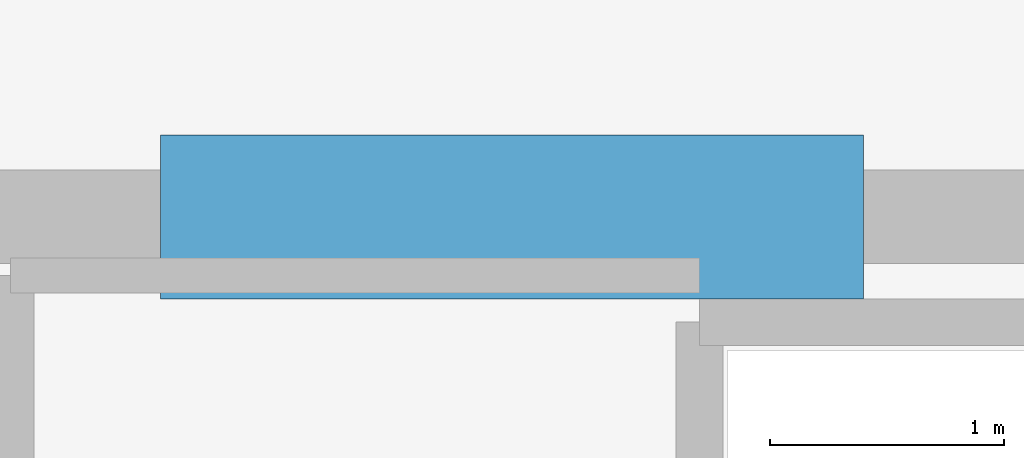
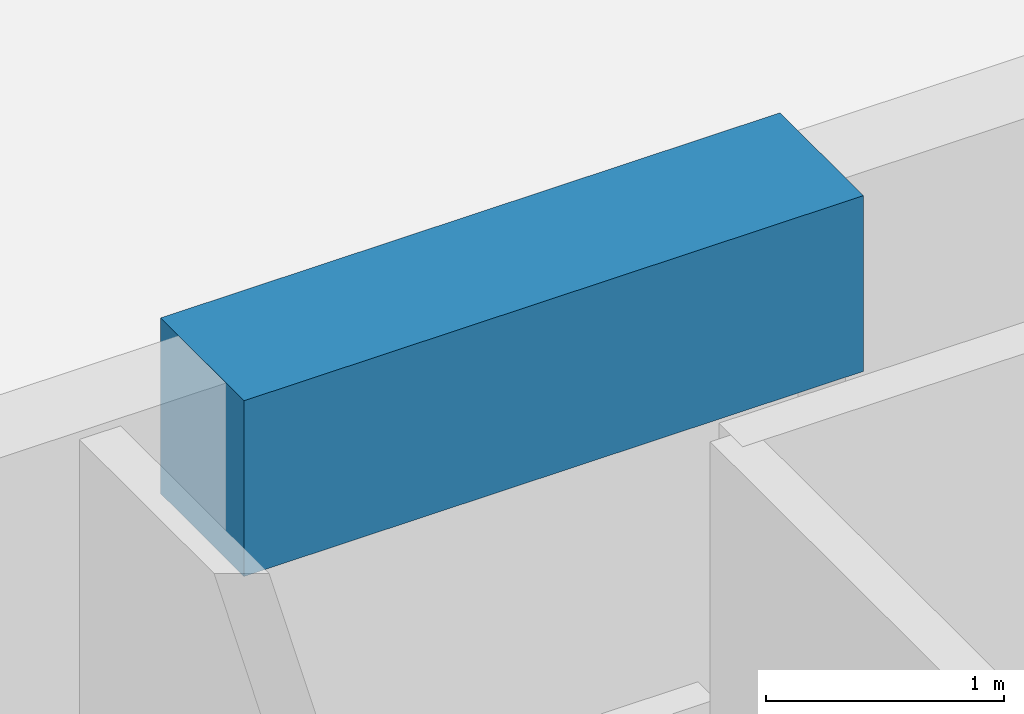
# One storey, part 9 of 24: 1 beam.
"""IFC4 building model written with IfcOpenShell, lengths in metres."""

import ifcopenshell
import ifcopenshell.guid

model = None  # the IFC model being written
_history = None  # IfcOwnerHistory: only IFC2X3 demands one
_inside = {}  # id of a spatial element -> (the spatial element, [elements in it])
_under = {}  # id of a project, library or spatial element -> (it, [spatial elements below it])
_declared = {}  # id of a project -> (the project, [libraries it declares])
_typed = {}  # id of a type object -> (the type object, [elements of that type])
_made_of = {}  # id of a material, layer set ... -> (it, [elements and type objects made of it])


def new_model(schema):
    """Start an empty IFC model of exactly this schema.

    Asked for "IFC4X3", IfcOpenShell would pick the latest addendum, in which some entities
    have other attributes; the version numbers below select the first issue.
    IFC2X3 requires an IfcOwnerHistory on every rooted entity: one is made here for all.
    """
    global model, _history
    if schema == "IFC4X3":
        model = ifcopenshell.file(schema_version=(4, 3, 0, 0))
    else:
        model = ifcopenshell.file(schema=schema)
    _inside.clear()
    _under.clear()
    _declared.clear()
    _typed.clear()
    _made_of.clear()
    _history = None
    if model.schema == "IFC2X3":
        org = make("IfcOrganization", Name="unknown")
        user = make(
            "IfcPersonAndOrganization",
            ThePerson=make("IfcPerson", FamilyName="unknown"),
            TheOrganization=org,
        )
        app = make(
            "IfcApplication",
            ApplicationDeveloper=org,
            Version="unknown",
            ApplicationFullName="unknown",
            ApplicationIdentifier="unknown",
        )
        _history = make(
            "IfcOwnerHistory",
            OwningUser=user,
            OwningApplication=app,
            ChangeAction="ADDED",
            CreationDate=0,
        )
    return model


def make(cls, **values):
    """One entity of the class cls with the attributes given. An attribute that is None is left unset."""
    return model.create_entity(
        cls, **{name: value for name, value in values.items() if value is not None}
    )


def rooted(cls, **values):
    """An entity with a GlobalId (a new one), such as an element, a storey or a relation."""
    return make(cls, GlobalId=ifcopenshell.guid.new(), OwnerHistory=_history, **values)


def si_unit(unit_type, name, prefix=None):
    """IfcSIUnit, for example si_unit("LENGTHUNIT", "METRE", prefix="MILLI")."""
    return make("IfcSIUnit", UnitType=unit_type, Prefix=prefix, Name=name)


def assignment(units):
    """IfcUnitAssignment: the units of a project."""
    return None if units is None else make("IfcUnitAssignment", Units=units)


def point(xyz):
    """IfcCartesianPoint."""
    return None if xyz is None else make("IfcCartesianPoint", Coordinates=xyz)


def direction(xyz):
    """IfcDirection."""
    return None if xyz is None else make("IfcDirection", DirectionRatios=xyz)


def frame(location, z_axis=None, x_axis=None):
    """IfcAxis2Placement3D, a coordinate frame: its origin and axes. An axis left out is left unset."""
    return make(
        "IfcAxis2Placement3D",
        Location=point(location),
        Axis=direction(z_axis),
        RefDirection=direction(x_axis),
    )


def frame_2d(location, x_axis=None):
    """IfcAxis2Placement2D, a coordinate frame in the plane: its origin and x axis."""
    return make(
        "IfcAxis2Placement2D", Location=point(location), RefDirection=direction(x_axis)
    )


def origin():
    """The frame at (0, 0, 0) with its axes left unset."""
    return frame((0.0, 0.0, 0.0))


def origin_2d():
    """The frame at (0, 0) in the plane with its x axis left unset."""
    return frame_2d((0.0, 0.0))


def place(relative_to, where):
    """IfcLocalPlacement: puts the frame where relative to a parent placement (None: the world)."""
    return make(
        "IfcLocalPlacement", PlacementRelTo=relative_to, RelativePlacement=where
    )


def context(
    kind, dimensions, precision=None, world=None, true_north=None, identifier=None
):
    """IfcGeometricRepresentationContext, for example the 3D "Model" context."""
    return make(
        "IfcGeometricRepresentationContext",
        ContextIdentifier=identifier,
        ContextType=kind,
        CoordinateSpaceDimension=dimensions,
        Precision=precision,
        WorldCoordinateSystem=world,
        TrueNorth=true_north,
    )


def subcontext(parent, identifier, kind, view, scale=None):
    """IfcGeometricRepresentationSubContext, for example "Body" below "Model"."""
    return make(
        "IfcGeometricRepresentationSubContext",
        ContextIdentifier=identifier,
        ContextType=kind,
        ParentContext=parent,
        TargetScale=scale,
        TargetView=view,
    )


def project(units=None, contexts=None):
    """IfcProject with its units and contexts."""
    return rooted(
        "IfcProject",
        Name="project",
        RepresentationContexts=contexts,
        UnitsInContext=assignment(units),
    )


def spatial(cls, under=None, at=None, **own):
    """A site, building, storey or space (cls), placed at a placement, below another one or the project."""
    s = rooted(cls, ObjectPlacement=at, **own)
    if under is not None:
        _under.setdefault(under.id(), (under, []))[1].append(s)
    return s


def profile(cls, at=None, kind="AREA", **sizes):
    """A parametric profile (cls). Its sizes go by their IFC names, for example OverallWidth=200.0."""
    return make(cls, ProfileType=kind, Position=at, **sizes)


def rectangle(**sizes):
    """IfcRectangleProfileDef."""
    return profile("IfcRectangleProfileDef", **sizes)


def extrude(swept, where, along, depth):
    """IfcExtrudedAreaSolid: the profile swept, set in the frame where, extruded along a direction by depth."""
    return make(
        "IfcExtrudedAreaSolid",
        SweptArea=swept,
        Position=where,
        ExtrudedDirection=direction(along),
        Depth=depth,
    )


def shape(context_of_items, identifier, shape_type, items):
    """IfcShapeRepresentation: the items that make up one representation, for example the "Body"."""
    return make(
        "IfcShapeRepresentation",
        ContextOfItems=context_of_items,
        RepresentationIdentifier=identifier,
        RepresentationType=shape_type,
        Items=items,
    )


def material(Name=None, Category=None):
    """IfcMaterial."""
    return make("IfcMaterial", Name=Name, Category=Category)


def material_profile(
    of_material, cross_section, Name=None, Category=None, Priority=None
):
    """IfcMaterialProfile: a cross section and its material."""
    return make(
        "IfcMaterialProfile",
        Name=Name,
        Material=of_material,
        Profile=cross_section,
        Priority=Priority,
        Category=Category,
    )


def profile_set(profiles, Name=None, composite=None):
    """IfcMaterialProfileSet."""
    return make(
        "IfcMaterialProfileSet",
        Name=Name,
        MaterialProfiles=profiles,
        CompositeProfile=composite,
    )


def made_of(thing, what):
    """Note that an element or type object is made of a material, layer set ...; save() writes the relation."""
    if what is not None:
        _made_of.setdefault(what.id(), (what, []))[1].append(thing)
    return thing


def type_object(cls, material=None, **own):
    """A type object (cls), such as IfcWallType, which elements share."""
    return made_of(rooted(cls, **own), material)


def element(
    cls,
    number,
    at=None,
    inside=None,
    cuts=None,
    type_object=None,
    material=None,
    context=None,
    identifier="Body",
    shape_type=None,
    held_by="IfcProductDefinitionShape",
    body=None,
    shapes=None,
    **own,
):
    """One element of the class cls, such as IfcWall. Its Tag is "e" and its number.

    at: its placement. inside: the storey or other place that contains it. cuts: it is an
    opening in that element (IfcRelVoidsElement). A single representation is given by context,
    identifier, shape_type and body (its items); several are given by shapes. held_by: the class
    of the entity that holds the representations. save() writes the other relations.
    """
    e = rooted(cls, Tag="e%d" % number, ObjectPlacement=at, **own)
    if body is not None:
        shapes = [shape(context, identifier, shape_type, body)]
    if shapes is not None:
        e.Representation = make(held_by, Representations=shapes)
    if inside is not None:
        _inside.setdefault(inside.id(), (inside, []))[1].append(e)
    if cuts is not None:
        rooted(
            "IfcRelVoidsElement", RelatingBuildingElement=cuts, RelatedOpeningElement=e
        )
    if type_object is not None:
        _typed.setdefault(type_object.id(), (type_object, []))[1].append(e)
    return made_of(e, material)


def aggregate(whole, parts):
    """IfcRelAggregates: a whole, such as a stair, and the parts it consists of."""
    return rooted("IfcRelAggregates", RelatingObject=whole, RelatedObjects=parts)


def save(model, path):
    """Write the relations noted so far, then the file.

    IfcRelAggregates (storeys below a building ...), IfcRelContainedInSpatialStructure (elements
    in a storey), IfcRelDefinesByType, IfcRelAssociatesMaterial and IfcRelDeclares: one each for
    every whole, place, type object, material and project.
    """
    for whole, parts in _under.values():
        aggregate(whole, parts)
    for where, things in _inside.values():
        rooted(
            "IfcRelContainedInSpatialStructure",
            RelatedElements=things,
            RelatingStructure=where,
        )
    for kind, things in _typed.values():
        rooted("IfcRelDefinesByType", RelatedObjects=things, RelatingType=kind)
    for what, things in _made_of.values():
        rooted("IfcRelAssociatesMaterial", RelatedObjects=things, RelatingMaterial=what)
    for by, libraries in _declared.values():
        rooted("IfcRelDeclares", RelatingContext=by, RelatedDefinitions=libraries)
    model.write(path)


model = new_model("IFC4")

# Units and contexts
model_context = context("Model", 3, precision=1e-05, world=origin(), true_north=direction((0.0, 1.0)))
body_context = subcontext(model_context, "Body", "Model", "MODEL_VIEW")
ifc_project = project(units=[si_unit("LENGTHUNIT", "METRE"), si_unit("AREAUNIT", "SQUARE_METRE"), si_unit("VOLUMEUNIT", "CUBIC_METRE"), si_unit("PLANEANGLEUNIT", "RADIAN"), si_unit("MASSUNIT", "GRAM", prefix="KILO")], contexts=[model_context])

# Site, building, storey
site_placement = place(None, origin())
site = spatial("IfcSite", under=ifc_project, at=site_placement, CompositionType="ELEMENT")
building_placement = place(site_placement, origin())
building = spatial("IfcBuilding", under=site, at=building_placement, Name="Kovane Verandah Tower", CompositionType="ELEMENT")
storey_placement = place(building_placement, frame((0.0, 0.0, 348.800048828125)))
storey = spatial("IfcBuildingStorey", under=building, at=storey_placement, Name="L81", CompositionType="ELEMENT", Elevation=348.800048828125)

# Beam
ifc_material = material(Name="Concrete C60/75", Category="concrete")
ifc_material_profile = material_profile(ifc_material, rectangle(XDim=0.699951171875, YDim=0.89990234375, at=origin_2d()), Name="RCB700x900")
ifc_profile_set = profile_set([ifc_material_profile], Name="Concrete C60/75")
beam_type = type_object("IfcBeamType", Name="BM-LINTEL-700x900", PredefinedType="LINTEL", material=ifc_profile_set)
beam_placement = place(storey_placement, frame((42.199951171875, 36.5, 4.75), z_axis=(1.0, 0.0, 0.0), x_axis=(0.0, 1.0, 0.0)))
element("IfcBeam", 1, at=beam_placement, inside=storey, type_object=beam_type, Name="L81 Core Coupling Lintel CL-N2", PredefinedType="LINTEL", context=body_context, shape_type="SweptSolid", body=[
    extrude(rectangle(XDim=0.699951171875, YDim=0.89990234375, at=origin_2d()), origin(), (0.0, 0.0, 1.0), 3.0),
])

save(model, "model.ifc")
